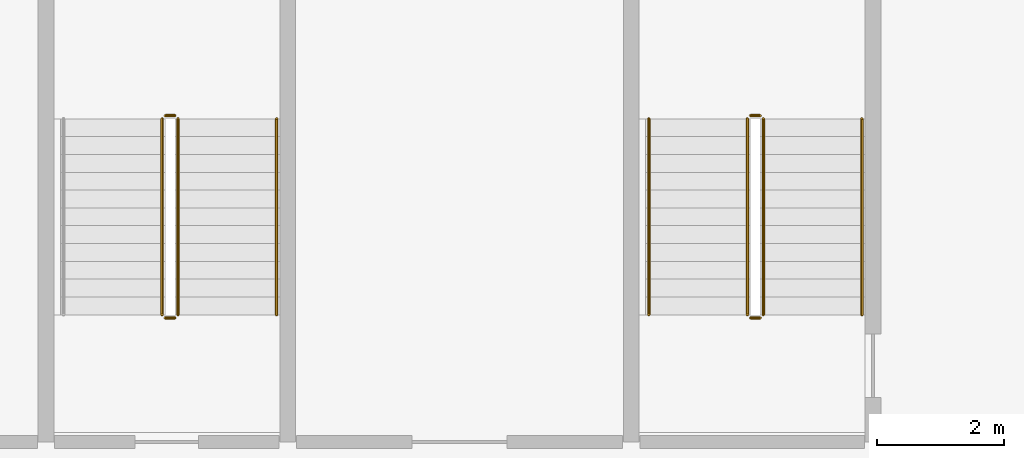
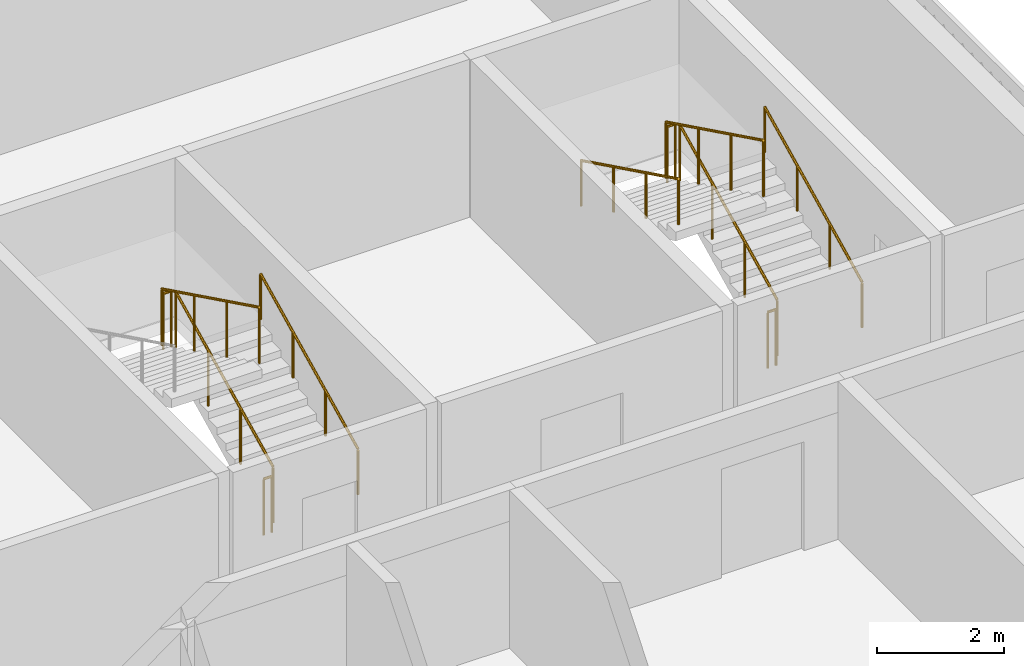
# One storey, part 11 of 18: 11 railings.
"""IFC4 building model written with IfcOpenShell, lengths in metres."""

from ifc_helpers import new_model, si_unit, direction, frame, origin, origin_2d, place, context, subcontext, project, spatial, circle, extrude, material, type_object, element, save


model = new_model("IFC4")

# Units and contexts
model_context = context("Model", 3, precision=1e-05, world=origin(), true_north=direction((0.0, 1.0)))
body_context = subcontext(model_context, "Body", "Model", "MODEL_VIEW")
ifc_project = project(units=[si_unit("LENGTHUNIT", "METRE"), si_unit("AREAUNIT", "SQUARE_METRE"), si_unit("VOLUMEUNIT", "CUBIC_METRE"), si_unit("PLANEANGLEUNIT", "RADIAN"), si_unit("MASSUNIT", "GRAM", prefix="KILO")], contexts=[model_context])

# Site, building, storey
site_placement = place(None, origin())
site = spatial("IfcSite", under=ifc_project, at=site_placement, CompositionType="ELEMENT")
building_placement = place(site_placement, origin())
building = spatial("IfcBuilding", under=site, at=building_placement, Name="Poui Terraces", CompositionType="ELEMENT")
storey_placement = place(building_placement, frame((0.0, 0.0, 279.0)))
storey = spatial("IfcBuildingStorey", under=building, at=storey_placement, Name="L77 CROWN", CompositionType="ELEMENT", Elevation=279.0)

# Railings
ifc_material_1 = material(Name="Galvanised steel balustrade", Category="steel")
railing_type_1 = type_object("IfcRailingType", Name="STAIR GUARD 1100", PredefinedType="GUARDRAIL", material=ifc_material_1)
railing_1_placement = place(storey_placement, frame((70.27490234375, 16.60009765625, 0.137451171875)))
element("IfcRailing", 1, at=railing_1_placement, inside=storey, type_object=railing_type_1, Name="L77 CROWN ST-CE stair guard 1", PredefinedType="GUARDRAIL", context=body_context, shape_type="SweptSolid", body=[
    extrude(circle(Radius=0.02392578125, at=origin_2d()), frame((0.0, 0.0, 1.076171875), z_axis=(0.0, 0.897606190399, 0.440798283751), x_axis=(-1.0, 0.0, 0.0)), (0.0, 0.0, 1.0), 3.43115234375),
    extrude(circle(Radius=0.02099609375, at=origin_2d()), origin(), (0.0, 0.0, 1.0), 1.052001953125),
    extrude(circle(Radius=0.02099609375, at=origin_2d()), frame((0.0, 1.026611328125, 0.504150390625)), (0.0, 0.0, 1.0), 1.052001953125),
    extrude(circle(Radius=0.02099609375, at=origin_2d()), frame((0.0, 2.05322265625, 1.00830078125)), (0.0, 0.0, 1.0), 1.052001953125),
    extrude(circle(Radius=0.02099609375, at=origin_2d()), frame((0.0, 3.079833984375, 1.512451171875)), (0.0, 0.0, 1.0), 1.052001953125),
])
railing_2_placement = place(storey_placement, frame((70.22509765625, 19.72998046875, 1.64990234375)))
element("IfcRailing", 2, at=railing_2_placement, inside=storey, type_object=railing_type_1, Name="L77 CROWN ST-CE stair guard 2", PredefinedType="GUARDRAIL", context=body_context, shape_type="SweptSolid", body=[
    extrude(circle(Radius=0.02392578125, at=origin_2d()), frame((0.0, 0.0, 1.076171875), z_axis=(-1.0, 0.0, 0.0), x_axis=(0.0, -1.0, 0.0)), (0.0, 0.0, 1.0), 0.150146484375),
    extrude(circle(Radius=0.02099609375, at=origin_2d()), origin(), (0.0, 0.0, 1.0), 1.052001953125),
    extrude(circle(Radius=0.02099609375, at=origin_2d()), frame((-0.150146484375, 0.0, 0.0)), (0.0, 0.0, 1.0), 1.052001953125),
])
railing_3_placement = place(storey_placement, frame((70.02490234375, 19.679931640625, 1.78759765625)))
element("IfcRailing", 3, at=railing_3_placement, inside=storey, type_object=railing_type_1, Name="L77 CROWN ST-CE stair guard 3", PredefinedType="GUARDRAIL", context=body_context, shape_type="SweptSolid", body=[
    extrude(circle(Radius=0.02392578125, at=origin_2d()), frame((0.0, 0.0, 1.076171875), z_axis=(0.0, -0.897606190399, 0.440798283751), x_axis=(1.0, 0.0, 0.0)), (0.0, 0.0, 1.0), 3.43115234375),
    extrude(circle(Radius=0.02099609375, at=origin_2d()), origin(), (0.0, 0.0, 1.0), 1.052001953125),
    extrude(circle(Radius=0.02099609375, at=origin_2d()), frame((0.0, -1.026611328125, 0.504150390625)), (0.0, 0.0, 1.0), 1.052001953125),
    extrude(circle(Radius=0.02099609375, at=origin_2d()), frame((0.0, -2.05322265625, 1.00830078125)), (0.0, 0.0, 1.0), 1.052001953125),
    extrude(circle(Radius=0.02099609375, at=origin_2d()), frame((0.0, -3.079833984375, 1.512451171875)), (0.0, 0.0, 1.0), 1.052001953125),
])
railing_4_placement = place(storey_placement, frame((70.22509765625, 16.550048828125, 0.0)))
element("IfcRailing", 4, at=railing_4_placement, inside=storey, type_object=railing_type_1, Name="L77 CROWN ST-CE stair guard 4", PredefinedType="GUARDRAIL", context=body_context, shape_type="SweptSolid", body=[
    extrude(circle(Radius=0.02392578125, at=origin_2d()), frame((0.0, 0.0, 1.076171875), z_axis=(-1.0, 0.0, 0.0), x_axis=(0.0, -1.0, 0.0)), (0.0, 0.0, 1.0), 0.150146484375),
    extrude(circle(Radius=0.02099609375, at=origin_2d()), origin(), (0.0, 0.0, 1.0), 1.052001953125),
    extrude(circle(Radius=0.02099609375, at=origin_2d()), frame((-0.150146484375, 0.0, 0.0)), (0.0, 0.0, 1.0), 1.052001953125),
])
railing_5_placement = place(storey_placement, frame((79.47509765625, 16.60009765625, 0.137451171875)))
element("IfcRailing", 5, at=railing_5_placement, inside=storey, type_object=railing_type_1, Name="L77 CROWN ST-E stair guard 1", PredefinedType="GUARDRAIL", context=body_context, shape_type="SweptSolid", body=[
    extrude(circle(Radius=0.02392578125, at=origin_2d()), frame((0.0, 0.0, 1.076171875), z_axis=(0.0, 0.897606190399, 0.440798283751), x_axis=(-1.0, 0.0, 0.0)), (0.0, 0.0, 1.0), 3.43115234375),
    extrude(circle(Radius=0.02099609375, at=origin_2d()), origin(), (0.0, 0.0, 1.0), 1.052001953125),
    extrude(circle(Radius=0.02099609375, at=origin_2d()), frame((0.0, 1.026611328125, 0.504150390625)), (0.0, 0.0, 1.0), 1.052001953125),
    extrude(circle(Radius=0.02099609375, at=origin_2d()), frame((0.0, 2.05322265625, 1.00830078125)), (0.0, 0.0, 1.0), 1.052001953125),
    extrude(circle(Radius=0.02099609375, at=origin_2d()), frame((0.0, 3.079833984375, 1.512451171875)), (0.0, 0.0, 1.0), 1.052001953125),
])
railing_6_placement = place(storey_placement, frame((79.425048828125, 19.72998046875, 1.64990234375)))
element("IfcRailing", 6, at=railing_6_placement, inside=storey, type_object=railing_type_1, Name="L77 CROWN ST-E stair guard 2", PredefinedType="GUARDRAIL", context=body_context, shape_type="SweptSolid", body=[
    extrude(circle(Radius=0.02392578125, at=origin_2d()), frame((0.0, 0.0, 1.076171875), z_axis=(-1.0, 0.0, 0.0), x_axis=(0.0, -1.0, 0.0)), (0.0, 0.0, 1.0), 0.150146484375),
    extrude(circle(Radius=0.02099609375, at=origin_2d()), origin(), (0.0, 0.0, 1.0), 1.052001953125),
    extrude(circle(Radius=0.02099609375, at=origin_2d()), frame((-0.150146484375, 0.0, 0.0)), (0.0, 0.0, 1.0), 1.052001953125),
])
railing_7_placement = place(storey_placement, frame((79.22509765625, 19.679931640625, 1.78759765625)))
element("IfcRailing", 7, at=railing_7_placement, inside=storey, type_object=railing_type_1, Name="L77 CROWN ST-E stair guard 3", PredefinedType="GUARDRAIL", context=body_context, shape_type="SweptSolid", body=[
    extrude(circle(Radius=0.02392578125, at=origin_2d()), frame((0.0, 0.0, 1.076171875), z_axis=(0.0, -0.897606190399, 0.440798283751), x_axis=(1.0, 0.0, 0.0)), (0.0, 0.0, 1.0), 3.43115234375),
    extrude(circle(Radius=0.02099609375, at=origin_2d()), origin(), (0.0, 0.0, 1.0), 1.052001953125),
    extrude(circle(Radius=0.02099609375, at=origin_2d()), frame((0.0, -1.026611328125, 0.504150390625)), (0.0, 0.0, 1.0), 1.052001953125),
    extrude(circle(Radius=0.02099609375, at=origin_2d()), frame((0.0, -2.05322265625, 1.00830078125)), (0.0, 0.0, 1.0), 1.052001953125),
    extrude(circle(Radius=0.02099609375, at=origin_2d()), frame((0.0, -3.079833984375, 1.512451171875)), (0.0, 0.0, 1.0), 1.052001953125),
])
railing_8_placement = place(storey_placement, frame((79.425048828125, 16.550048828125, 0.0)))
element("IfcRailing", 8, at=railing_8_placement, inside=storey, type_object=railing_type_1, Name="L77 CROWN ST-E stair guard 4", PredefinedType="GUARDRAIL", context=body_context, shape_type="SweptSolid", body=[
    extrude(circle(Radius=0.02392578125, at=origin_2d()), frame((0.0, 0.0, 1.076171875), z_axis=(-1.0, 0.0, 0.0), x_axis=(0.0, -1.0, 0.0)), (0.0, 0.0, 1.0), 0.150146484375),
    extrude(circle(Radius=0.02099609375, at=origin_2d()), origin(), (0.0, 0.0, 1.0), 1.052001953125),
    extrude(circle(Radius=0.02099609375, at=origin_2d()), frame((-0.150146484375, 0.0, 0.0)), (0.0, 0.0, 1.0), 1.052001953125),
])
ifc_material_2 = material(Name="Stainless steel handrail", Category="steel")
railing_type_2 = type_object("IfcRailingType", Name="STAIR HANDRAIL 900", PredefinedType="HANDRAIL", material=ifc_material_2)
for number, where, name in (
    (9, (71.824951171875, 16.60009765625, 0.137451171875), "L77 CROWN ST-CE stair handrail 1"),
    (10, (81.02490234375, 16.60009765625, 0.137451171875), "L77 CROWN ST-E stair handrail 1"),
):
    element("IfcRailing", number, at=place(storey_placement, frame(where)), inside=storey, type_object=railing_type_2, Name=name, PredefinedType="HANDRAIL", context=body_context, shape_type="SweptSolid", body=[
        extrude(circle(Radius=0.02392578125, at=origin_2d()), frame((0.0, 0.0, 0.8759765625), z_axis=(0.0, 0.897606190399, 0.440798283751), x_axis=(-1.0, 0.0, 0.0)), (0.0, 0.0, 1.0), 3.43115234375),
        extrude(circle(Radius=0.02099609375, at=origin_2d()), origin(), (0.0, 0.0, 1.0), 0.851806640625),
        extrude(circle(Radius=0.02099609375, at=origin_2d()), frame((0.0, 1.026611328125, 0.504150390625)), (0.0, 0.0, 1.0), 0.851806640625),
        extrude(circle(Radius=0.02099609375, at=origin_2d()), frame((0.0, 2.05322265625, 1.00830078125)), (0.0, 0.0, 1.0), 0.851806640625),
        extrude(circle(Radius=0.02099609375, at=origin_2d()), frame((0.0, 3.079833984375, 1.512451171875)), (0.0, 0.0, 1.0), 0.851806640625),
    ])
railing_9_placement = place(storey_placement, frame((77.675048828125, 19.679931640625, 1.78759765625)))
element("IfcRailing", 11, at=railing_9_placement, inside=storey, type_object=railing_type_2, Name="L77 CROWN ST-E stair handrail 2", PredefinedType="HANDRAIL", context=body_context, shape_type="SweptSolid", body=[
    extrude(circle(Radius=0.02392578125, at=origin_2d()), frame((0.0, 0.0, 0.8759765625), z_axis=(0.0, -0.897606190399, 0.440798283751), x_axis=(1.0, 0.0, 0.0)), (0.0, 0.0, 1.0), 3.43115234375),
    extrude(circle(Radius=0.02099609375, at=origin_2d()), origin(), (0.0, 0.0, 1.0), 0.851806640625),
    extrude(circle(Radius=0.02099609375, at=origin_2d()), frame((0.0, -1.026611328125, 0.504150390625)), (0.0, 0.0, 1.0), 0.851806640625),
    extrude(circle(Radius=0.02099609375, at=origin_2d()), frame((0.0, -2.05322265625, 1.00830078125)), (0.0, 0.0, 1.0), 0.851806640625),
    extrude(circle(Radius=0.02099609375, at=origin_2d()), frame((0.0, -3.079833984375, 1.512451171875)), (0.0, 0.0, 1.0), 0.851806640625),
])

save(model, "model.ifc")
